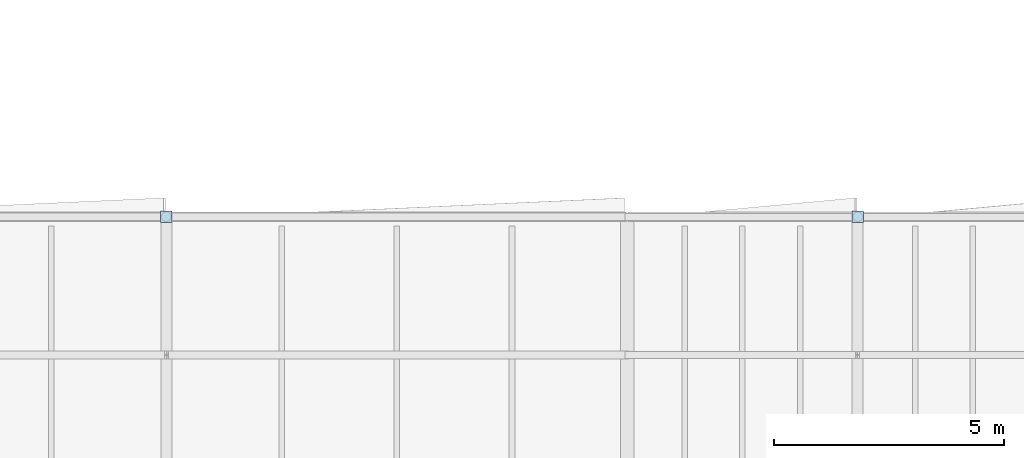
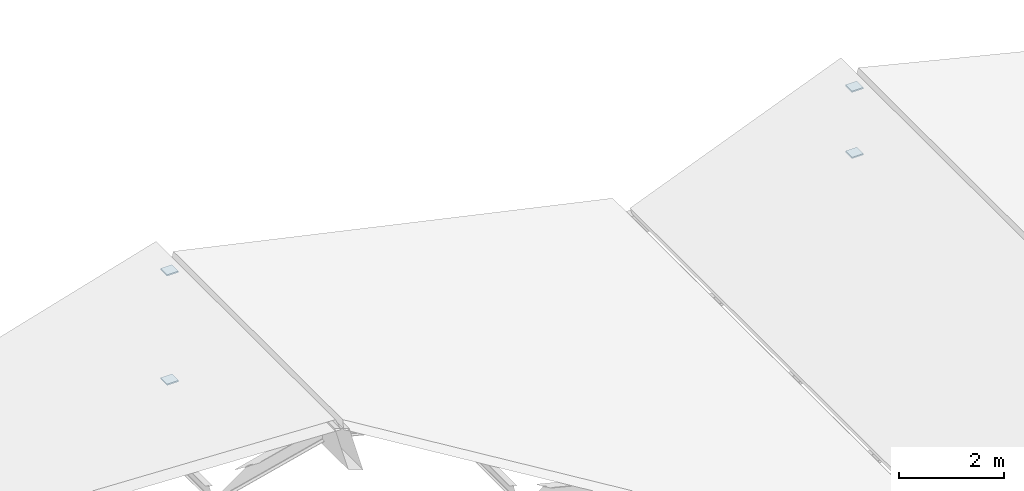
# One storey, part 78 of 90: 4 plates.
"""IFC4 building model written with IfcOpenShell, lengths in metres."""

from ifc_helpers import new_model, si_unit, direction, frame, origin, origin_2d, place, context, subcontext, project, spatial, rectangle, extrude, material, layer, layer_set, type_object, element, save


model = new_model("IFC4")

# Units and contexts
model_context = context("Model", 3, precision=1e-05, world=origin(), true_north=direction((0.0, 1.0)))
body_context = subcontext(model_context, "Body", "Model", "MODEL_VIEW")
ifc_project = project(units=[si_unit("LENGTHUNIT", "METRE"), si_unit("AREAUNIT", "SQUARE_METRE"), si_unit("VOLUMEUNIT", "CUBIC_METRE"), si_unit("PLANEANGLEUNIT", "RADIAN"), si_unit("MASSUNIT", "GRAM", prefix="KILO"), si_unit("THERMODYNAMICTEMPERATUREUNIT", "KELVIN"), si_unit("POWERUNIT", "WATT")], contexts=[model_context])

# Site, building, storey
site_placement = place(None, origin())
site = spatial("IfcSite", under=ifc_project, at=site_placement, CompositionType="ELEMENT")
building_placement = place(site_placement, origin())
building = spatial("IfcBuilding", under=site, at=building_placement, Name="Korenveer Ferry Terminal", CompositionType="ELEMENT")
storey_placement = place(building_placement, frame((0.0, 0.0, 22.199951171875)))
storey = spatial("IfcBuildingStorey", under=building, at=storey_placement, Name="RF", CompositionType="ELEMENT", Elevation=22.199951171875)

# Plates
ifc_material = material(Name="Steel S355", Category="steel")
ifc_layer = layer(ifc_material, 0.031982421875)
ifc_layer_set = layer_set([ifc_layer], Name="Steel S355")
plate_type = type_object("IfcPlateType", Name="STR-PLT-CAP32", PredefinedType="USERDEFINED", material=ifc_layer_set)
for number, where, z_axis, x_axis, name in (
    (1, (10.0, 60.0, 0.14794921875), (0.0, 0.0, 1.0), (1.0, 0.0, 0.0), "Hollow section end cap 496"),
    (2, (10.0, 60.0, 2.68017578125), (0.0, 0.0, 1.0), (1.0, 0.0, 0.0), "Hollow section end cap 497"),
    (3, (25.0, 60.0, 0.14794921875), (0.0, 0.0, 1.0), (1.0, 0.0, 0.0), "Hollow section end cap 504"),
    (4, (25.0, 60.0, 1.68017578125), (0.0, 0.0, 1.0), (1.0, 0.0, 0.0), "Hollow section end cap 505"),
):
    element("IfcPlate", number, at=place(storey_placement, frame(where, z_axis=z_axis, x_axis=x_axis)), inside=storey, type_object=plate_type, Name=name, ObjectType="END CAP PLATE", PredefinedType="USERDEFINED", context=body_context, shape_type="SweptSolid", body=[
        extrude(rectangle(XDim=0.2490234375, YDim=0.2490234375, at=origin_2d()), origin(), (0.0, 0.0, 1.0), 0.031982421875),
    ])

save(model, "model.ifc")
